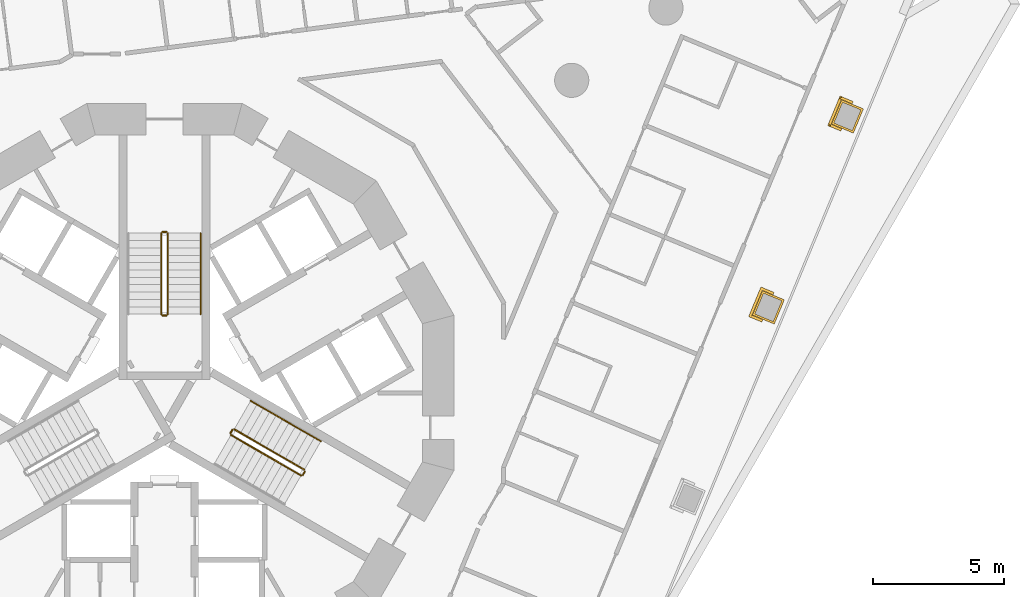
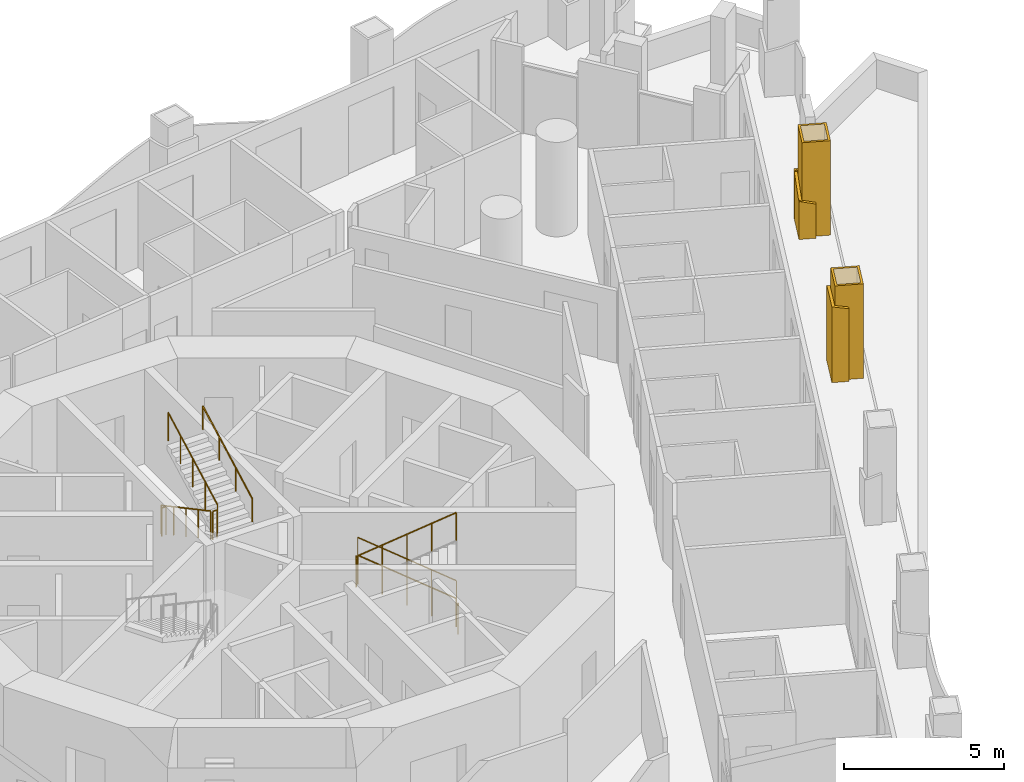
# One storey, part 18 of 20: 13 railings, 2 coverings.
"""IFC4 building model written with IfcOpenShell, lengths in metres."""

from ifc_helpers import new_model, si_unit, direction, frame, origin, origin_2d, place, context, subcontext, project, spatial, polyline, circle, outline, extrude, material, layer, layer_set, type_object, element, save


model = new_model("IFC4")

# Units and contexts
model_context = context("Model", 3, precision=1e-05, world=origin(), true_north=direction((0.0, 1.0)))
body_context = subcontext(model_context, "Body", "Model", "MODEL_VIEW")
ifc_project = project(units=[si_unit("LENGTHUNIT", "METRE"), si_unit("AREAUNIT", "SQUARE_METRE"), si_unit("VOLUMEUNIT", "CUBIC_METRE"), si_unit("PLANEANGLEUNIT", "RADIAN"), si_unit("MASSUNIT", "GRAM", prefix="KILO")], contexts=[model_context])

# Site, building, storey
site_placement = place(None, origin())
site = spatial("IfcSite", under=ifc_project, at=site_placement, CompositionType="ELEMENT")
building_placement = place(site_placement, origin())
building = spatial("IfcBuilding", under=site, at=building_placement, Name="Trine Commons Tower", CompositionType="ELEMENT")
storey_placement = place(building_placement, frame((0.0, 0.0, 50.39990234375)))
storey = spatial("IfcBuildingStorey", under=building, at=storey_placement, Name="L11", CompositionType="ELEMENT", Elevation=50.39990234375)

# Coverings
ifc_material_1 = material(Name="Limestone, honed", Category="masonry")
ifc_layer_1 = layer(ifc_material_1, 0.074951171875)
ifc_layer_set_1 = layer_set([ifc_layer_1], Name="Limestone, honed")
covering_type = type_object("IfcCoveringType", Name="Limestone column cladding 75", PredefinedType="CLADDING", material=ifc_layer_set_1)
covering_1_placement = place(storey_placement, origin())
element("IfcCovering", 1, at=covering_1_placement, inside=storey, type_object=covering_type, Name="Limestone pier cladding 2-18", PredefinedType="CLADDING", context=body_context, shape_type="SweptSolid", body=[
    extrude(outline(polyline([(106.58349609375, 73.30029296875), (105.751953125, 73.644775390625), (105.369140625, 72.720947265625), (106.20068359375, 72.37646484375), (106.58349609375, 73.30029296875)]), holes=[polyline([(106.4853515625, 73.259765625), (105.79248046875, 73.546875), (105.46728515625, 72.761474609375), (106.16015625, 72.474365234375), (106.4853515625, 73.259765625)])]), origin(), (0.0, 0.0, 1.0), 3.60009765625),
])
covering_2_placement = place(storey_placement, origin())
element("IfcCovering", 2, at=covering_2_placement, inside=storey, type_object=covering_type, Name="Limestone pier cladding 2-19", PredefinedType="CLADDING", context=body_context, shape_type="SweptSolid", body=[
    extrude(outline(polyline([(103.575439453125, 66.0380859375), (102.743896484375, 66.382568359375), (102.361083984375, 65.458740234375), (103.192626953125, 65.114501953125), (103.575439453125, 66.0380859375)]), holes=[polyline([(103.477294921875, 65.99755859375), (102.784423828125, 66.28466796875), (102.459228515625, 65.49951171875), (103.152099609375, 65.21240234375), (103.477294921875, 65.99755859375)])]), origin(), (0.0, 0.0, 1.0), 3.60009765625),
])

# Railings
ifc_material_2 = material(Name="Stainless steel balustrade", Category="steel")
railing_type_1 = type_object("IfcRailingType", Name="Stair guard, steel balustrade 1100", PredefinedType="GUARDRAIL", material=ifc_material_2)
railing_1_placement = place(storey_placement, frame((79.875, 68.570556640625, 0.150146484375)))
element("IfcRailing", 3, at=railing_1_placement, inside=storey, type_object=railing_type_1, Name="L11 ST1A stair guard 1", PredefinedType="GUARDRAIL", context=body_context, shape_type="SweptSolid", body=[
    extrude(circle(Radius=0.02392578125, at=origin_2d()), frame((0.0, 0.0, 1.076171875), z_axis=(0.0, -0.881496589024, 0.472190389079), x_axis=(1.0, 0.0, 0.0)), (0.0, 0.0, 1.0), 3.494140625),
    extrude(circle(Radius=0.02099609375, at=origin_2d()), origin(), (0.0, 0.0, 1.0), 1.052001953125),
    extrude(circle(Radius=0.02099609375, at=origin_2d()), frame((0.0, -0.77001953125, 0.41259765625)), (0.0, 0.0, 1.0), 1.052001953125),
    extrude(circle(Radius=0.02099609375, at=origin_2d()), frame((0.0, -1.5400390625, 0.824951171875)), (0.0, 0.0, 1.0), 1.052001953125),
    extrude(circle(Radius=0.02099609375, at=origin_2d()), frame((0.0, -2.31005859375, 1.2373046875)), (0.0, 0.0, 1.0), 1.052001953125),
    extrude(circle(Radius=0.02099609375, at=origin_2d()), frame((0.0, -3.080078125, 1.64990234375)), (0.0, 0.0, 1.0), 1.052001953125),
])
railing_2_placement = place(storey_placement, frame((79.925048828125, 65.440673828125, 1.800048828125)))
element("IfcRailing", 4, at=railing_2_placement, inside=storey, type_object=railing_type_1, Name="L11 ST1A stair guard 2", PredefinedType="GUARDRAIL", context=body_context, shape_type="SweptSolid", body=[
    extrude(circle(Radius=0.02392578125, at=origin_2d()), frame((0.0, 0.0, 1.076171875), z_axis=(1.0, 0.0, 0.0), x_axis=(0.0, 1.0, 0.0)), (0.0, 0.0, 1.0), 0.14990234375),
    extrude(circle(Radius=0.02099609375, at=origin_2d()), origin(), (0.0, 0.0, 1.0), 1.052001953125),
    extrude(circle(Radius=0.02099609375, at=origin_2d()), frame((0.14990234375, 0.0, 0.0)), (0.0, 0.0, 1.0), 1.052001953125),
])
railing_3_placement = place(storey_placement, frame((80.125, 65.490478515625, 1.9501953125)))
element("IfcRailing", 5, at=railing_3_placement, inside=storey, type_object=railing_type_1, Name="L11 ST1A stair guard 3", PredefinedType="GUARDRAIL", context=body_context, shape_type="SweptSolid", body=[
    extrude(circle(Radius=0.02392578125, at=origin_2d()), frame((0.0, 0.0, 1.076171875), z_axis=(0.0, 0.881496589024, 0.472190389079), x_axis=(-1.0, 0.0, 0.0)), (0.0, 0.0, 1.0), 3.494140625),
    extrude(circle(Radius=0.02099609375, at=origin_2d()), origin(), (0.0, 0.0, 1.0), 1.052001953125),
    extrude(circle(Radius=0.02099609375, at=origin_2d()), frame((0.0, 0.77001953125, 0.41259765625)), (0.0, 0.0, 1.0), 1.052001953125),
    extrude(circle(Radius=0.02099609375, at=origin_2d()), frame((0.0, 1.5400390625, 0.824951171875)), (0.0, 0.0, 1.0), 1.052001953125),
    extrude(circle(Radius=0.02099609375, at=origin_2d()), frame((0.0, 2.31005859375, 1.2373046875)), (0.0, 0.0, 1.0), 1.052001953125),
    extrude(circle(Radius=0.02099609375, at=origin_2d()), frame((0.0, 3.080078125, 1.64990234375)), (0.0, 0.0, 1.0), 1.052001953125),
])
railing_4_placement = place(storey_placement, frame((79.925048828125, 68.62060546875, 0.0)))
element("IfcRailing", 6, at=railing_4_placement, inside=storey, type_object=railing_type_1, Name="L11 ST1A stair guard 4", PredefinedType="GUARDRAIL", context=body_context, shape_type="SweptSolid", body=[
    extrude(circle(Radius=0.02392578125, at=origin_2d()), frame((0.0, 0.0, 1.076171875), z_axis=(1.0, 0.0, 0.0), x_axis=(0.0, 1.0, 0.0)), (0.0, 0.0, 1.0), 0.14990234375),
    extrude(circle(Radius=0.02099609375, at=origin_2d()), origin(), (0.0, 0.0, 1.0), 1.052001953125),
    extrude(circle(Radius=0.02099609375, at=origin_2d()), frame((0.14990234375, 0.0, 0.0)), (0.0, 0.0, 1.0), 1.052001953125),
])
railing_5_placement = place(storey_placement, frame((85.31982421875, 59.572998046875, 0.150146484375)))
element("IfcRailing", 7, at=railing_5_placement, inside=storey, type_object=railing_type_1, Name="L11 ST3A stair guard 1", PredefinedType="GUARDRAIL", context=body_context, shape_type="SweptSolid", body=[
    extrude(circle(Radius=0.02392578125, at=origin_2d()), frame((0.0, 0.0, 1.076171875), z_axis=(-0.76340495495, 0.440743040072, 0.472184759798), x_axis=(-0.499992328818, -0.866029832698, 0.0)), (0.0, 0.0, 1.0), 3.494140625),
    extrude(circle(Radius=0.02099609375, at=origin_2d()), origin(), (0.0, 0.0, 1.0), 1.052001953125),
    extrude(circle(Radius=0.02099609375, at=origin_2d()), frame((-0.6669921875, 0.385009765625, 0.41259765625)), (0.0, 0.0, 1.0), 1.052001953125),
    extrude(circle(Radius=0.02099609375, at=origin_2d()), frame((-1.333740234375, 0.77001953125, 0.824951171875)), (0.0, 0.0, 1.0), 1.052001953125),
    extrude(circle(Radius=0.02099609375, at=origin_2d()), frame((-2.00048828125, 1.155029296875, 1.2373046875)), (0.0, 0.0, 1.0), 1.052001953125),
    extrude(circle(Radius=0.02099609375, at=origin_2d()), frame((-2.66748046875, 1.5400390625, 1.64990234375)), (0.0, 0.0, 1.0), 1.052001953125),
])
railing_6_placement = place(storey_placement, frame((82.584228515625, 61.0947265625, 1.800048828125)))
element("IfcRailing", 8, at=railing_6_placement, inside=storey, type_object=railing_type_1, Name="L11 ST3A stair guard 2", PredefinedType="GUARDRAIL", context=body_context, shape_type="SweptSolid", body=[
    extrude(circle(Radius=0.02392578125, at=origin_2d()), frame((0.0, 0.0, 1.076171875), z_axis=(-0.501036270542, -0.865426285481, 0.0), x_axis=(0.865426285481, -0.501036270542, 0.0)), (0.0, 0.0, 1.0), 0.150146484375),
    extrude(circle(Radius=0.02099609375, at=origin_2d()), origin(), (0.0, 0.0, 1.0), 1.052001953125),
    extrude(circle(Radius=0.02099609375, at=origin_2d()), frame((-0.0751953125, -0.1298828125, 0.0)), (0.0, 0.0, 1.0), 1.052001953125),
])
railing_7_placement = place(storey_placement, frame((82.52734375, 60.896484375, 1.9501953125)))
element("IfcRailing", 9, at=railing_7_placement, inside=storey, type_object=railing_type_1, Name="L11 ST3A stair guard 3", PredefinedType="GUARDRAIL", context=body_context, shape_type="SweptSolid", body=[
    extrude(circle(Radius=0.02392578125, at=origin_2d()), frame((0.0, 0.0, 1.076171875), z_axis=(0.76340495495, -0.440743040072, 0.472184759798), x_axis=(0.499992328818, 0.866029832698, 0.0)), (0.0, 0.0, 1.0), 3.494140625),
    extrude(circle(Radius=0.02099609375, at=origin_2d()), origin(), (0.0, 0.0, 1.0), 1.052001953125),
    extrude(circle(Radius=0.02099609375, at=origin_2d()), frame((0.6669921875, -0.385009765625, 0.41259765625)), (0.0, 0.0, 1.0), 1.052001953125),
    extrude(circle(Radius=0.02099609375, at=origin_2d()), frame((1.333740234375, -0.77001953125, 0.824951171875)), (0.0, 0.0, 1.0), 1.052001953125),
    extrude(circle(Radius=0.02099609375, at=origin_2d()), frame((2.00048828125, -1.155029296875, 1.2373046875)), (0.0, 0.0, 1.0), 1.052001953125),
    extrude(circle(Radius=0.02099609375, at=origin_2d()), frame((2.66748046875, -1.5400390625, 1.64990234375)), (0.0, 0.0, 1.0), 1.052001953125),
])
railing_8_placement = place(storey_placement, frame((85.338134765625, 59.504638671875, 0.0)))
element("IfcRailing", 10, at=railing_8_placement, inside=storey, type_object=railing_type_1, Name="L11 ST3A stair guard 4", PredefinedType="GUARDRAIL", context=body_context, shape_type="SweptSolid", body=[
    extrude(circle(Radius=0.02392578125, at=origin_2d()), frame((0.0, 0.0, 1.076171875), z_axis=(-0.499816412211, -0.866131372301, 0.0), x_axis=(0.866131372301, -0.499816412211, 0.0)), (0.0, 0.0, 1.0), 0.14990234375),
    extrude(circle(Radius=0.02099609375, at=origin_2d()), origin(), (0.0, 0.0, 1.0), 1.052001953125),
    extrude(circle(Radius=0.02099609375, at=origin_2d()), frame((-0.074951171875, -0.1298828125, 0.0)), (0.0, 0.0, 1.0), 1.052001953125),
])
ifc_material_3 = material(Name="Stainless steel handrail", Category="steel")
railing_type_2 = type_object("IfcRailingType", Name="Stair handrail, steel 900", PredefinedType="HANDRAIL", material=ifc_material_3)
railing_9_placement = place(storey_placement, frame((81.375, 65.490478515625, 1.9501953125)))
element("IfcRailing", 11, at=railing_9_placement, inside=storey, type_object=railing_type_2, Name="L11 ST1A stair handrail 2", PredefinedType="HANDRAIL", context=body_context, shape_type="SweptSolid", body=[
    extrude(circle(Radius=0.02099609375, at=origin_2d()), frame((0.0, 0.0, 0.87890625), z_axis=(0.0, 0.881496589024, 0.472190389079), x_axis=(-1.0, 0.0, 0.0)), (0.0, 0.0, 1.0), 3.494140625),
    extrude(circle(Radius=0.01513671875, at=origin_2d()), origin(), (0.0, 0.0, 1.0), 0.85791015625),
    extrude(circle(Radius=0.01513671875, at=origin_2d()), frame((0.0, 1.026611328125, 0.550048828125)), (0.0, 0.0, 1.0), 0.85791015625),
    extrude(circle(Radius=0.01513671875, at=origin_2d()), frame((0.0, 2.053466796875, 1.099853515625)), (0.0, 0.0, 1.0), 0.85791015625),
    extrude(circle(Radius=0.01513671875, at=origin_2d()), frame((0.0, 3.080078125, 1.64990234375)), (0.0, 0.0, 1.0), 0.85791015625),
])
for number, where, name in (
    (12, (85.94482421875, 60.655517578125, 0.150146484375), "L11 ST3A stair handrail 1"),
    (13, (84.611083984375, 61.425537109375, 0.97509765625), "L11 ST3A stair handrail 2"),
):
    element("IfcRailing", number, at=place(storey_placement, frame(where)), inside=storey, type_object=railing_type_2, Name=name, PredefinedType="HANDRAIL", context=body_context, shape_type="SweptSolid", body=[
        extrude(circle(Radius=0.02099609375, at=origin_2d()), frame((0.0, 0.0, 0.87890625), z_axis=(-0.76340495495, 0.440743040072, 0.472184759798), x_axis=(-0.499992328818, -0.866029832698, 0.0)), (0.0, 0.0, 1.0), 1.7470703125),
        extrude(circle(Radius=0.01513671875, at=origin_2d()), origin(), (0.0, 0.0, 1.0), 0.85791015625),
        extrude(circle(Radius=0.01513671875, at=origin_2d()), frame((-0.6669921875, 0.385009765625, 0.41259765625)), (0.0, 0.0, 1.0), 0.85791015625),
        extrude(circle(Radius=0.01513671875, at=origin_2d()), frame((-1.333740234375, 0.77001953125, 0.824951171875)), (0.0, 0.0, 1.0), 0.85791015625),
    ])
ifc_material_4 = material(Name="White powder-coated aluminium", Category="aluminium")
ifc_layer_2 = layer(ifc_material_4, 0.10009765625)
ifc_layer_set_2 = layer_set([ifc_layer_2], Name="White powder-coated aluminium")
railing_type_3 = type_object("IfcRailingType", Name="White balustrade band 100", PredefinedType="GUARDRAIL", material=ifc_layer_set_2)
railing_10_placement = place(storey_placement, origin())
element("IfcRailing", 14, at=railing_10_placement, inside=storey, type_object=railing_type_3, Name="Guard band L11 13", PredefinedType="GUARDRAIL", context=body_context, shape_type="SweptSolid", body=[
    extrude(outline(polyline([(0.0, 0.0), (0.541015625, 0.0), (0.541015625, 1.812744140625), (0.03515625, 2.010009765625), (0.0, 2.023681640625), (0.0, 0.0)])), frame((106.153076171875, 73.489501953125, 0.0), z_axis=(0.382723818695, 0.923862802911, 0.0), x_axis=(-0.923862802911, 0.382723818695, 0.0)), (0.0, 0.0, 1.0), 0.10009765625),
    extrude(outline(polyline([(0.0, 0.0), (1.221435546875, 0.0), (1.221435546875, 1.421142578125), (0.61083984375, 1.623291015625), (0.0, 1.851806640625), (0.0, 0.0)])), frame((105.784912109375, 73.750732421875, 0.0), z_axis=(-0.923843847114, 0.382769573177, 0.0), x_axis=(-0.382769573177, -0.923843847114, 0.0)), (0.0, 0.0, 1.0), 0.10009765625),
    extrude(outline(polyline([(0.0, 0.0), (0.54052734375, 0.0), (0.540771484375, 1.3017578125), (0.505859375, 1.309326171875), (0.0, 1.452392578125), (0.0, 0.0)])), frame((105.262939453125, 72.75390625, 0.0), z_axis=(-0.382498039412, -0.923956302996, 0.0), x_axis=(0.923956302996, -0.382498039412, 0.0)), (0.0, 0.0, 1.0), 0.10009765625),
])
railing_11_placement = place(storey_placement, origin())
element("IfcRailing", 15, at=railing_11_placement, inside=storey, type_object=railing_type_3, Name="Guard band L11 14", PredefinedType="GUARDRAIL", context=body_context, shape_type="SweptSolid", body=[
    extrude(outline(polyline([(0.0, 0.0), (0.541259765625, 0.0), (0.541259765625, 2.86572265625), (0.03515625, 2.780029296875), (0.0, 2.77294921875), (0.0, 0.0)])), frame((103.144775390625, 66.227294921875, 0.0), z_axis=(0.382949309038, 0.923769357961, 0.0), x_axis=(-0.923769357961, 0.382949309038, 0.0)), (0.0, 0.0, 1.0), 0.10009765625),
    extrude(outline(polyline([(0.0, 0.0), (1.22119140625, 0.0), (1.22119140625, 2.880126953125), (0.73779296875, 2.900146484375), (0.610595703125, 2.898681640625), (0.0, 2.85400390625), (0.0, 0.0)])), frame((102.77685546875, 66.488525390625, 0.0), z_axis=(-0.923885248955, 0.382669631357, 0.0), x_axis=(-0.382669631357, -0.923885248955, 0.0)), (0.0, 0.0, 1.0), 0.10009765625),
    extrude(outline(polyline([(0.0, 0.0), (0.54052734375, 0.0), (0.54052734375, 2.777099609375), (0.505615234375, 2.780029296875), (0.0, 2.8876953125), (0.0, 0.0)])), frame((102.255126953125, 65.49169921875, 0.0), z_axis=(-0.382498039412, -0.923956302996, 0.0), x_axis=(0.923956302996, -0.382498039412, 0.0)), (0.0, 0.0, 1.0), 0.10009765625),
])

save(model, "model.ifc")
